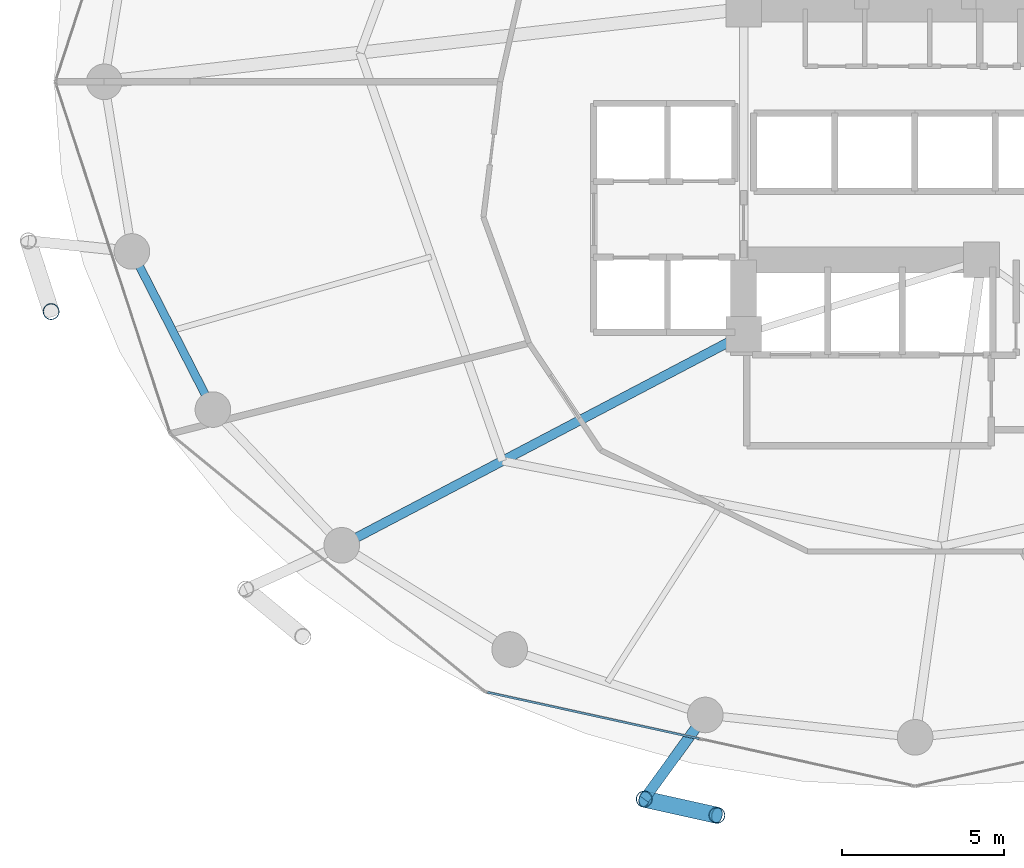
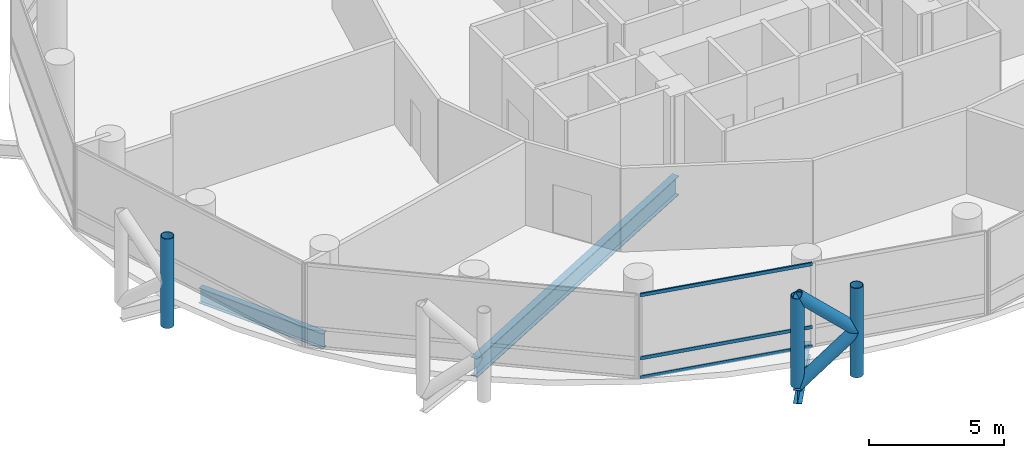
# One storey, part 3 of 24: 8 members, 3 beams, 1 element without a shape of its own.
"""IFC4 building model written with IfcOpenShell, lengths in metres."""

import ifcopenshell
import ifcopenshell.guid

model = None  # the IFC model being written
_history = None  # IfcOwnerHistory: only IFC2X3 demands one
_inside = {}  # id of a spatial element -> (the spatial element, [elements in it])
_under = {}  # id of a project, library or spatial element -> (it, [spatial elements below it])
_declared = {}  # id of a project -> (the project, [libraries it declares])
_typed = {}  # id of a type object -> (the type object, [elements of that type])
_made_of = {}  # id of a material, layer set ... -> (it, [elements and type objects made of it])


def new_model(schema):
    """Start an empty IFC model of exactly this schema.

    Asked for "IFC4X3", IfcOpenShell would pick the latest addendum, in which some entities
    have other attributes; the version numbers below select the first issue.
    IFC2X3 requires an IfcOwnerHistory on every rooted entity: one is made here for all.
    """
    global model, _history
    if schema == "IFC4X3":
        model = ifcopenshell.file(schema_version=(4, 3, 0, 0))
    else:
        model = ifcopenshell.file(schema=schema)
    _inside.clear()
    _under.clear()
    _declared.clear()
    _typed.clear()
    _made_of.clear()
    _history = None
    if model.schema == "IFC2X3":
        org = make("IfcOrganization", Name="unknown")
        user = make(
            "IfcPersonAndOrganization",
            ThePerson=make("IfcPerson", FamilyName="unknown"),
            TheOrganization=org,
        )
        app = make(
            "IfcApplication",
            ApplicationDeveloper=org,
            Version="unknown",
            ApplicationFullName="unknown",
            ApplicationIdentifier="unknown",
        )
        _history = make(
            "IfcOwnerHistory",
            OwningUser=user,
            OwningApplication=app,
            ChangeAction="ADDED",
            CreationDate=0,
        )
    return model


def make(cls, **values):
    """One entity of the class cls with the attributes given. An attribute that is None is left unset."""
    return model.create_entity(
        cls, **{name: value for name, value in values.items() if value is not None}
    )


def rooted(cls, **values):
    """An entity with a GlobalId (a new one), such as an element, a storey or a relation."""
    return make(cls, GlobalId=ifcopenshell.guid.new(), OwnerHistory=_history, **values)


def si_unit(unit_type, name, prefix=None):
    """IfcSIUnit, for example si_unit("LENGTHUNIT", "METRE", prefix="MILLI")."""
    return make("IfcSIUnit", UnitType=unit_type, Prefix=prefix, Name=name)


def assignment(units):
    """IfcUnitAssignment: the units of a project."""
    return None if units is None else make("IfcUnitAssignment", Units=units)


def point(xyz):
    """IfcCartesianPoint."""
    return None if xyz is None else make("IfcCartesianPoint", Coordinates=xyz)


def direction(xyz):
    """IfcDirection."""
    return None if xyz is None else make("IfcDirection", DirectionRatios=xyz)


def frame(location, z_axis=None, x_axis=None):
    """IfcAxis2Placement3D, a coordinate frame: its origin and axes. An axis left out is left unset."""
    return make(
        "IfcAxis2Placement3D",
        Location=point(location),
        Axis=direction(z_axis),
        RefDirection=direction(x_axis),
    )


def frame_2d(location, x_axis=None):
    """IfcAxis2Placement2D, a coordinate frame in the plane: its origin and x axis."""
    return make(
        "IfcAxis2Placement2D", Location=point(location), RefDirection=direction(x_axis)
    )


def origin():
    """The frame at (0, 0, 0) with its axes left unset."""
    return frame((0.0, 0.0, 0.0))


def origin_2d():
    """The frame at (0, 0) in the plane with its x axis left unset."""
    return frame_2d((0.0, 0.0))


def place(relative_to, where):
    """IfcLocalPlacement: puts the frame where relative to a parent placement (None: the world)."""
    return make(
        "IfcLocalPlacement", PlacementRelTo=relative_to, RelativePlacement=where
    )


def context(
    kind, dimensions, precision=None, world=None, true_north=None, identifier=None
):
    """IfcGeometricRepresentationContext, for example the 3D "Model" context."""
    return make(
        "IfcGeometricRepresentationContext",
        ContextIdentifier=identifier,
        ContextType=kind,
        CoordinateSpaceDimension=dimensions,
        Precision=precision,
        WorldCoordinateSystem=world,
        TrueNorth=true_north,
    )


def subcontext(parent, identifier, kind, view, scale=None):
    """IfcGeometricRepresentationSubContext, for example "Body" below "Model"."""
    return make(
        "IfcGeometricRepresentationSubContext",
        ContextIdentifier=identifier,
        ContextType=kind,
        ParentContext=parent,
        TargetScale=scale,
        TargetView=view,
    )


def project(units=None, contexts=None):
    """IfcProject with its units and contexts."""
    return rooted(
        "IfcProject",
        Name="project",
        RepresentationContexts=contexts,
        UnitsInContext=assignment(units),
    )


def spatial(cls, under=None, at=None, **own):
    """A site, building, storey or space (cls), placed at a placement, below another one or the project."""
    s = rooted(cls, ObjectPlacement=at, **own)
    if under is not None:
        _under.setdefault(under.id(), (under, []))[1].append(s)
    return s


def profile(cls, at=None, kind="AREA", **sizes):
    """A parametric profile (cls). Its sizes go by their IFC names, for example OverallWidth=200.0."""
    return make(cls, ProfileType=kind, Position=at, **sizes)


def hollow_rectangle(**sizes):
    """IfcRectangleHollowProfileDef."""
    return profile("IfcRectangleHollowProfileDef", **sizes)


def hollow_circle(**sizes):
    """IfcCircleHollowProfileDef."""
    return profile("IfcCircleHollowProfileDef", **sizes)


def i_section(**sizes):
    """IfcIShapeProfileDef."""
    return profile("IfcIShapeProfileDef", **sizes)


def extrude(swept, where, along, depth):
    """IfcExtrudedAreaSolid: the profile swept, set in the frame where, extruded along a direction by depth."""
    return make(
        "IfcExtrudedAreaSolid",
        SweptArea=swept,
        Position=where,
        ExtrudedDirection=direction(along),
        Depth=depth,
    )


def shape(context_of_items, identifier, shape_type, items):
    """IfcShapeRepresentation: the items that make up one representation, for example the "Body"."""
    return make(
        "IfcShapeRepresentation",
        ContextOfItems=context_of_items,
        RepresentationIdentifier=identifier,
        RepresentationType=shape_type,
        Items=items,
    )


def material(Name=None, Category=None):
    """IfcMaterial."""
    return make("IfcMaterial", Name=Name, Category=Category)


def layer(
    of_material, thickness, ventilated=None, Name=None, Category=None, Priority=None
):
    """IfcMaterialLayer: one layer of a wall or slab, of a material (None: an air gap)."""
    return make(
        "IfcMaterialLayer",
        Material=of_material,
        LayerThickness=thickness,
        IsVentilated=ventilated,
        Name=Name,
        Category=Category,
        Priority=Priority,
    )


def layer_set(layers, Name=None):
    """IfcMaterialLayerSet."""
    return make("IfcMaterialLayerSet", MaterialLayers=layers, LayerSetName=Name)


def material_profile(
    of_material, cross_section, Name=None, Category=None, Priority=None
):
    """IfcMaterialProfile: a cross section and its material."""
    return make(
        "IfcMaterialProfile",
        Name=Name,
        Material=of_material,
        Profile=cross_section,
        Priority=Priority,
        Category=Category,
    )


def profile_set(profiles, Name=None, composite=None):
    """IfcMaterialProfileSet."""
    return make(
        "IfcMaterialProfileSet",
        Name=Name,
        MaterialProfiles=profiles,
        CompositeProfile=composite,
    )


def made_of(thing, what):
    """Note that an element or type object is made of a material, layer set ...; save() writes the relation."""
    if what is not None:
        _made_of.setdefault(what.id(), (what, []))[1].append(thing)
    return thing


def type_object(cls, material=None, **own):
    """A type object (cls), such as IfcWallType, which elements share."""
    return made_of(rooted(cls, **own), material)


def element(
    cls,
    number,
    at=None,
    inside=None,
    cuts=None,
    type_object=None,
    material=None,
    context=None,
    identifier="Body",
    shape_type=None,
    held_by="IfcProductDefinitionShape",
    body=None,
    shapes=None,
    **own,
):
    """One element of the class cls, such as IfcWall. Its Tag is "e" and its number.

    at: its placement. inside: the storey or other place that contains it. cuts: it is an
    opening in that element (IfcRelVoidsElement). A single representation is given by context,
    identifier, shape_type and body (its items); several are given by shapes. held_by: the class
    of the entity that holds the representations. save() writes the other relations.
    """
    e = rooted(cls, Tag="e%d" % number, ObjectPlacement=at, **own)
    if body is not None:
        shapes = [shape(context, identifier, shape_type, body)]
    if shapes is not None:
        e.Representation = make(held_by, Representations=shapes)
    if inside is not None:
        _inside.setdefault(inside.id(), (inside, []))[1].append(e)
    if cuts is not None:
        rooted(
            "IfcRelVoidsElement", RelatingBuildingElement=cuts, RelatedOpeningElement=e
        )
    if type_object is not None:
        _typed.setdefault(type_object.id(), (type_object, []))[1].append(e)
    return made_of(e, material)


def aggregate(whole, parts):
    """IfcRelAggregates: a whole, such as a stair, and the parts it consists of."""
    return rooted("IfcRelAggregates", RelatingObject=whole, RelatedObjects=parts)


def save(model, path):
    """Write the relations noted so far, then the file.

    IfcRelAggregates (storeys below a building ...), IfcRelContainedInSpatialStructure (elements
    in a storey), IfcRelDefinesByType, IfcRelAssociatesMaterial and IfcRelDeclares: one each for
    every whole, place, type object, material and project.
    """
    for whole, parts in _under.values():
        aggregate(whole, parts)
    for where, things in _inside.values():
        rooted(
            "IfcRelContainedInSpatialStructure",
            RelatedElements=things,
            RelatingStructure=where,
        )
    for kind, things in _typed.values():
        rooted("IfcRelDefinesByType", RelatedObjects=things, RelatingType=kind)
    for what, things in _made_of.values():
        rooted("IfcRelAssociatesMaterial", RelatedObjects=things, RelatingMaterial=what)
    for by, libraries in _declared.values():
        rooted("IfcRelDeclares", RelatingContext=by, RelatedDefinitions=libraries)
    model.write(path)


model = new_model("IFC4")

# Units and contexts
model_context = context("Model", 3, precision=1e-05, world=origin(), true_north=direction((0.0, 1.0)))
body_context = subcontext(model_context, "Body", "Model", "MODEL_VIEW")
ifc_project = project(units=[si_unit("LENGTHUNIT", "METRE"), si_unit("AREAUNIT", "SQUARE_METRE"), si_unit("VOLUMEUNIT", "CUBIC_METRE"), si_unit("PLANEANGLEUNIT", "RADIAN"), si_unit("MASSUNIT", "GRAM", prefix="KILO")], contexts=[model_context])

# Site, building, storey
site_placement = place(None, origin())
site = spatial("IfcSite", under=ifc_project, at=site_placement, CompositionType="ELEMENT")
building_placement = place(site_placement, origin())
building = spatial("IfcBuilding", under=site, at=building_placement, Name="Nuhasar Tower", CompositionType="ELEMENT")
storey_placement = place(building_placement, frame((0.0, 0.0, 29.10009765625)))
storey = spatial("IfcBuildingStorey", under=building, at=storey_placement, Name="L06", CompositionType="ELEMENT", Elevation=29.10009765625)

# Beams
ifc_material_1 = material(Name="Steel S355", Category="steel")
ifc_material_profile_1 = material_profile(ifc_material_1, i_section(OverallWidth=0.2919921875, OverallDepth=0.85888671875, WebThickness=0.01708984375, FlangeThickness=0.031005859375, at=origin_2d()), Name="W33X169")
ifc_profile_set_1 = profile_set([ifc_material_profile_1], Name="Steel S355")
beam_type_1 = type_object("IfcBeamType", Name="BM-POD-W33X169", PredefinedType="BEAM", material=ifc_profile_set_1)
beam_1_placement = place(storey_placement, frame((33.699951171875, 19.0, -0.690185546875), z_axis=(-0.885330348705, -0.464962550816, 0.0), x_axis=(0.464962550816, -0.885330348705, 0.0)))
element("IfcBeam", 1, at=beam_1_placement, inside=storey, type_object=beam_type_1, Name="L06 Radial Floor Girder 01", PredefinedType="BEAM", context=body_context, shape_type="SweptSolid", body=[
    extrude(i_section(OverallWidth=0.2919921875, OverallDepth=0.85888671875, WebThickness=0.01708984375, FlangeThickness=0.031005859375, at=origin_2d()), origin(), (0.0, 0.0, 1.0), 14.0205078125),
])
ifc_material_profile_2 = material_profile(ifc_material_1, i_section(OverallWidth=0.256103515625, OverallDepth=0.693115234375, WebThickness=0.014404296875, FlangeThickness=0.023681640625, at=origin_2d()), Name="W27X114")
ifc_profile_set_2 = profile_set([ifc_material_profile_2], Name="Steel S355")
beam_type_2 = type_object("IfcBeamType", Name="BM-RING-W27X114", PredefinedType="SPANDREL", material=ifc_profile_set_2)
beam_2_placement = place(storey_placement, frame((14.803955078125, 21.55908203125, -0.606201171875), z_axis=(0.455930023905, -0.890015625314, 0.0), x_axis=(0.890015625314, 0.455930023905, 0.0)))
element("IfcBeam", 2, at=beam_2_placement, inside=storey, type_object=beam_type_2, Name="L06 Perimeter Ring Spandrel 14", PredefinedType="SPANDREL", context=body_context, shape_type="SweptSolid", body=[
    extrude(i_section(OverallWidth=0.256103515625, OverallDepth=0.693115234375, WebThickness=0.014404296875, FlangeThickness=0.023681640625, at=origin_2d()), origin(), (0.0, 0.0, 1.0), 5.487548828125),
])
ifc_material_profile_3 = material_profile(ifc_material_1, i_section(OverallWidth=0.323974609375, OverallDepth=0.611083984375, WebThickness=0.0126953125, FlangeThickness=0.01904296875, at=origin_2d()), Name="W24X104")
ifc_profile_set_3 = profile_set([ifc_material_profile_3], Name="Steel S355")
beam_type_3 = type_object("IfcBeamType", Name="BM-TIE-W24X104", PredefinedType="BEAM", material=ifc_profile_set_3)
beam_3_placement = place(storey_placement, frame((32.51708984375, 7.239990234375, -0.565185546875), z_axis=(-0.587403316448, -0.809294349311, 0.0), x_axis=(0.809294349311, -0.587403316448, 0.0)))
element("IfcBeam", 3, at=beam_3_placement, inside=storey, type_object=beam_type_3, Name="L06 Exoskeleton Node Tie Beam 09", PredefinedType="BEAM", context=body_context, shape_type="SweptSolid", body=[
    extrude(i_section(OverallWidth=0.323974609375, OverallDepth=0.611083984375, WebThickness=0.0126953125, FlangeThickness=0.01904296875, at=origin_2d()), origin(), (0.0, 0.0, 1.0), 3.212890625),
])

# Curtain wall, members
ifc_material_2 = material(Name="Aluminium 6063-T6", Category="aluminium")
ifc_layer = layer(ifc_material_2, 0.199951171875)
ifc_layer_set = layer_set([ifc_layer], Name="Aluminium 6063-T6")
curtain_wall_type = type_object("IfcCurtainWallType", Name="CW-Z1-OFF", PredefinedType="NOTDEFINED", material=ifc_layer_set)
curtain_wall_placement = place(storey_placement, origin())
curtain_wall = element("IfcCurtainWall", 4, at=curtain_wall_placement, inside=storey, type_object=curtain_wall_type, Name="L06 Unitised Curtain Wall 09", PredefinedType="NOTDEFINED")
ifc_material_profile_4 = material_profile(ifc_material_2, hollow_rectangle(XDim=0.06494140625, YDim=0.14990234375, WallThickness=0.00439453125, at=origin_2d()), Name="CWT-2")
ifc_profile_set_4 = profile_set([ifc_material_profile_4], Name="Aluminium 6063-T6")
member_type_1 = type_object("IfcMemberType", Name="CW-TRN-S2", PredefinedType="USERDEFINED", material=ifc_profile_set_4)
member_1_placement = place(storey_placement, frame((25.783447265625, 7.941162109375, 0.032470703125), z_axis=(0.976741923778, -0.214418316228, 0.0), x_axis=(0.214418316228, 0.976741923778, 0.0)))
member_1 = element("IfcMember", 5, at=member_1_placement, type_object=member_type_1, Name="CW-Z1 transom 1.1", ObjectType="TRANSOM", PredefinedType="USERDEFINED", context=body_context, shape_type="SweptSolid", body=[
    extrude(hollow_rectangle(XDim=0.06494140625, YDim=0.14990234375, WallThickness=0.00439453125, at=origin_2d()), origin(), (0.0, 0.0, 1.0), 6.70068359375),
])
member_2_placement = place(storey_placement, frame((25.783447265625, 7.941162109375, 0.89990234375), z_axis=(0.976741923778, -0.214418316228, 0.0), x_axis=(0.214418316228, 0.976741923778, 0.0)))
member_2 = element("IfcMember", 6, at=member_2_placement, type_object=member_type_1, Name="CW-Z1 transom 1.2", ObjectType="TRANSOM", PredefinedType="USERDEFINED", context=body_context, shape_type="SweptSolid", body=[
    extrude(hollow_rectangle(XDim=0.06494140625, YDim=0.14990234375, WallThickness=0.00439453125, at=origin_2d()), origin(), (0.0, 0.0, 1.0), 6.70068359375),
])
member_3_placement = place(storey_placement, frame((25.783447265625, 7.941162109375, 3.75732421875), z_axis=(0.976741923778, -0.214418316228, 0.0), x_axis=(0.214418316228, 0.976741923778, 0.0)))
member_3 = element("IfcMember", 7, at=member_3_placement, type_object=member_type_1, Name="CW-Z1 transom 1.3", ObjectType="TRANSOM", PredefinedType="USERDEFINED", context=body_context, shape_type="SweptSolid", body=[
    extrude(hollow_rectangle(XDim=0.06494140625, YDim=0.14990234375, WallThickness=0.00439453125, at=origin_2d()), origin(), (0.0, 0.0, 1.0), 6.70068359375),
])
aggregate(curtain_wall, [member_1, member_2, member_3])

# Members
ifc_material_3 = material(Name="Steel S460", Category="steel")
ifc_material_profile_5 = material_profile(ifc_material_3, hollow_circle(Radius=0.25390625, WallThickness=0.025390625, at=origin_2d()), Name="HSS508X25.4")
ifc_profile_set_5 = profile_set([ifc_material_profile_5], Name="Steel S460")
member_type_2 = type_object("IfcMemberType", Name="EXO-BRONZE-508", PredefinedType="BRACE", material=ifc_profile_set_5)
for number, where, z_axis, x_axis, name in (
    (8, (12.30810546875, 19.700927734375, 0.0), (0.0, 0.0, 1.0), (1.0, 0.0, 0.0), "L06 Exoskeleton Chord Column EC-07B"),
    (9, (30.6298828125, 4.639892578125, 0.0), (0.0, 0.0, 1.0), (1.0, 0.0, 0.0), "L06 Exoskeleton Chord Column EC-09A"),
    (10, (32.8759765625, 4.14111328125, 0.0), (0.0, 0.0, 1.0), (1.0, 0.0, 0.0), "L06 Exoskeleton Chord Column EC-09B"),
):
    element("IfcMember", number, at=place(storey_placement, frame(where, z_axis=z_axis, x_axis=x_axis)), inside=storey, type_object=member_type_2, Name=name, PredefinedType="BRACE", context=body_context, shape_type="SweptSolid", body=[
        extrude(hollow_circle(Radius=0.25390625, WallThickness=0.025390625, at=origin_2d()), origin(), (0.0, 0.0, 1.0), 4.0498046875),
    ])
for number, where, z_axis, x_axis, name in (
    (11, (30.6298828125, 4.639892578125, 0.0), (0.732830973624, -0.162736269469, 0.66066305383), (0.216784396973, 0.976219506683, 0.0), "L06 Bronze Diagrid Brace W1-09"),
    (12, (32.8759765625, 4.14111328125, 2.02490234375), (-0.732830973624, 0.162736269469, 0.66066305383), (-0.216784396973, -0.976219506683, 0.0), "L06 Bronze Diagrid Brace W2-09"),
):
    element("IfcMember", number, at=place(storey_placement, frame(where, z_axis=z_axis, x_axis=x_axis)), inside=storey, type_object=member_type_2, Name=name, PredefinedType="BRACE", context=body_context, shape_type="SweptSolid", body=[
        extrude(hollow_circle(Radius=0.25390625, WallThickness=0.025390625, at=origin_2d()), origin(), (0.0, 0.0, 1.0), 3.06494140625),
    ])

save(model, "model.ifc")
